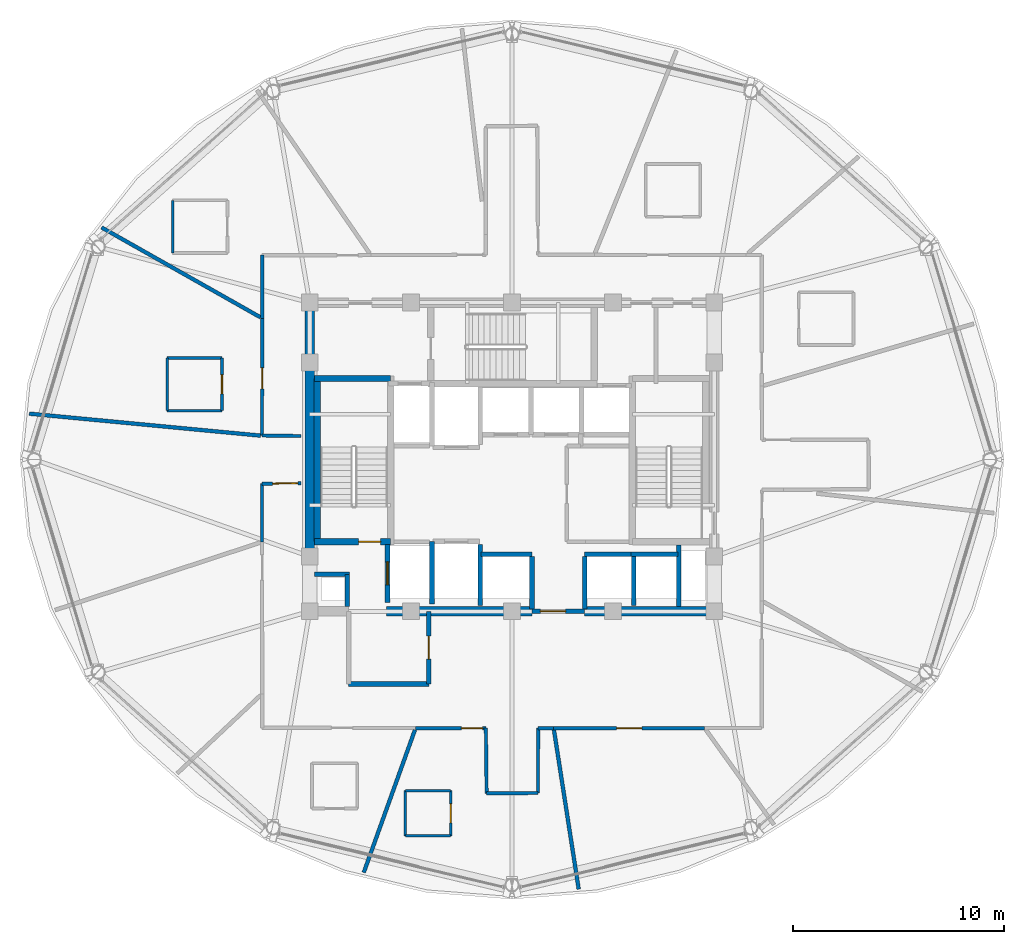
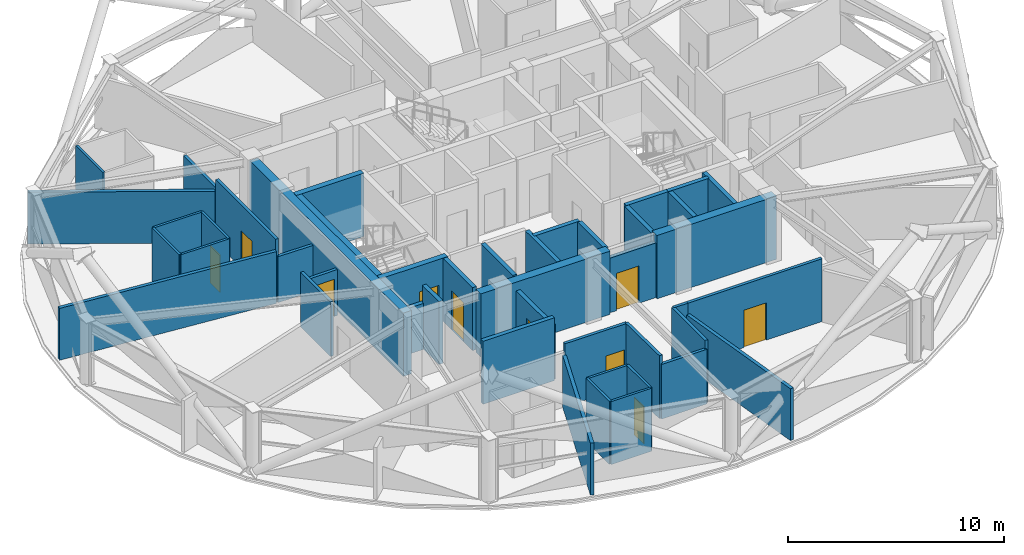
# One storey, part 23 of 30: 45 walls, 10 doors, 10 openings.
"""IFC4 building model written with IfcOpenShell, lengths in metres."""

from ifc_helpers import new_model, si_unit, direction, frame, frame_2d, origin, place, context, subcontext, project, spatial, rectangle, extrude, material, layer, layer_set, type_object, element, fill, save


model = new_model("IFC4")

# Units and contexts
model_context = context("Model", 3, precision=1e-05, world=origin(), true_north=direction((0.0, 1.0)))
body_context = subcontext(model_context, "Body", "Model", "MODEL_VIEW")
ifc_project = project(units=[si_unit("LENGTHUNIT", "METRE"), si_unit("AREAUNIT", "SQUARE_METRE"), si_unit("VOLUMEUNIT", "CUBIC_METRE"), si_unit("PLANEANGLEUNIT", "RADIAN"), si_unit("MASSUNIT", "GRAM", prefix="KILO")], contexts=[model_context])

# Site, building, storey
site_placement = place(None, origin())
site = spatial("IfcSite", under=ifc_project, at=site_placement, CompositionType="ELEMENT")
building_placement = place(site_placement, origin())
building = spatial("IfcBuilding", under=site, at=building_placement, Name="Vantalir Tower", CompositionType="ELEMENT")
storey_placement = place(building_placement, frame((0.0, 0.0, 189.89990234375)))
storey = spatial("IfcBuildingStorey", under=building, at=storey_placement, Name="L47", CompositionType="ELEMENT", Elevation=189.89990234375)

# Walls
ifc_material_1 = material(Name="Moisture-resistant en-suite partition", Category="gypsum")
ifc_layer_1 = layer(ifc_material_1, 0.125)
ifc_layer_set_1 = layer_set([ifc_layer_1], Name="Moisture-resistant en-suite partition")
wall_type_1 = type_object("IfcWallType", Name="WL-BATH-125", PredefinedType="PARTITIONING", material=ifc_layer_set_1)
wall_1_placement = place(storey_placement, frame((15.39501953125, 34.805908203125, 0.0), z_axis=(0.0, 0.0, 1.0), x_axis=(0.0, 1.0, 0.0)))
element("IfcWall", 1, at=wall_1_placement, inside=storey, type_object=wall_type_1, Name="L47 En-suite 05 West Wall", PredefinedType="PARTITIONING", context=body_context, shape_type="SweptSolid", body=[
    extrude(rectangle(XDim=2.5, YDim=0.125, at=frame_2d((1.25, 0.0))), origin(), (0.0, 0.0, 1.0), 3.550048828125),
])
for number, where, z_axis, x_axis, name in (
    (2, (15.135986328125, 27.318115234375, 0.0), (0.0, 0.0, 1.0), (1.0, 0.0, 0.0), "L47 En-suite 06 South Wall"),
    (3, (15.135986328125, 29.818115234375, 0.0), (0.0, 0.0, 1.0), (1.0, 0.0, 0.0), "L47 En-suite 06 North Wall"),
):
    element("IfcWall", number, at=place(storey_placement, frame(where, z_axis=z_axis, x_axis=x_axis)), inside=storey, type_object=wall_type_1, Name=name, PredefinedType="PARTITIONING", context=body_context, shape_type="SweptSolid", body=[
        extrude(rectangle(XDim=2.60009765625, YDim=0.125, at=frame_2d((1.300048828125, 0.0))), origin(), (0.0, 0.0, 1.0), 3.550048828125),
    ])
wall_2_placement = place(storey_placement, frame((15.135986328125, 27.318115234375, 0.0), z_axis=(0.0, 0.0, 1.0), x_axis=(0.0, 1.0, 0.0)))
element("IfcWall", 4, at=wall_2_placement, inside=storey, type_object=wall_type_1, Name="L47 En-suite 06 West Wall", PredefinedType="PARTITIONING", context=body_context, shape_type="SweptSolid", body=[
    extrude(rectangle(XDim=2.5, YDim=0.125, at=frame_2d((1.25, 0.0))), origin(), (0.0, 0.0, 1.0), 3.550048828125),
])

# Wall, opening, door
wall_3_placement = place(storey_placement, frame((17.736083984375, 27.318115234375, 0.0), z_axis=(0.0, 0.0, 1.0), x_axis=(0.0, 1.0, 0.0)))
wall_3 = element("IfcWall", 5, at=wall_3_placement, inside=storey, type_object=wall_type_1, Name="L47 En-suite 06 East Wall", PredefinedType="PARTITIONING", context=body_context, shape_type="SweptSolid", body=[
    extrude(rectangle(XDim=2.5, YDim=0.125, at=frame_2d((1.25, 0.0))), origin(), (0.0, 0.0, 1.0), 3.550048828125),
])
opening_1_placement = place(wall_3_placement, frame((0.800048828125, 0.0, 0.0)))
opening_1 = element("IfcOpeningElement", 6, at=opening_1_placement, cuts=wall_3, Name="Opening D-WC", PredefinedType="OPENING", context=body_context, shape_type="SweptSolid", body=[
    extrude(rectangle(XDim=0.89990234375, YDim=2.10009765625, at=frame_2d((0.449951171875, 1.050048828125))), frame((0.0, 0.072509765625, 0.0), z_axis=(0.0, -1.0, 0.0), x_axis=(1.0, 0.0, 0.0)), (0.0, 0.0, 1.0), 0.14501953125),
])
ifc_material_2 = material(Name="Moisture-resistant hardwood door", Category="wood")
door_type_1 = type_object("IfcDoorType", Name="DR-ENSUITE-900", OperationType="NOTDEFINED", PredefinedType="DOOR", material=ifc_material_2)
door_1_placement = place(opening_1_placement, origin())
door_1 = element("IfcDoor", 7, at=door_1_placement, inside=storey, type_object=door_type_1, Name="L47 En-suite 06 Door", OperationType="SINGLE_SWING_RIGHT", OverallHeight=2.10009765625, OverallWidth=0.89990234375, PredefinedType="DOOR", context=body_context, shape_type="SweptSolid", body=[
    extrude(rectangle(XDim=0.89990234375, YDim=2.10009765625, at=frame_2d((0.449951171875, 1.050048828125))), frame((0.0, 0.02490234375, 0.0), z_axis=(0.0, -1.0, 0.0), x_axis=(1.0, 0.0, 0.0)), (0.0, 0.0, 1.0), 0.050048828125),
])
fill(opening_1, door_1)

# Walls
for number, where, z_axis, x_axis, name in (
    (8, (26.44189453125, 7.137939453125, 0.0), (0.0, 0.0, 1.0), (1.0, 0.0, 0.0), "L47 En-suite 10 South Wall"),
    (9, (26.44189453125, 9.2880859375, 0.0), (0.0, 0.0, 1.0), (1.0, 0.0, 0.0), "L47 En-suite 10 North Wall"),
    (10, (26.44189453125, 7.137939453125, 0.0), (0.0, 0.0, 1.0), (0.0, 1.0, 0.0), "L47 En-suite 10 West Wall"),
):
    element("IfcWall", number, at=place(storey_placement, frame(where, z_axis=z_axis, x_axis=x_axis)), inside=storey, type_object=wall_type_1, Name=name, PredefinedType="PARTITIONING", context=body_context, shape_type="SweptSolid", body=[
        extrude(rectangle(XDim=2.150146484375, YDim=0.125, at=frame_2d((1.0751953125, 0.0))), origin(), (0.0, 0.0, 1.0), 3.550048828125),
    ])

# Wall, opening, door
wall_4_placement = place(storey_placement, frame((28.592041015625, 7.137939453125, 0.0), z_axis=(0.0, 0.0, 1.0), x_axis=(0.0, 1.0, 0.0)))
wall_4 = element("IfcWall", 11, at=wall_4_placement, inside=storey, type_object=wall_type_1, Name="L47 En-suite 10 East Wall", PredefinedType="PARTITIONING", context=body_context, shape_type="SweptSolid", body=[
    extrude(rectangle(XDim=2.150146484375, YDim=0.125, at=frame_2d((1.0751953125, 0.0))), origin(), (0.0, 0.0, 1.0), 3.550048828125),
])
opening_2_placement = place(wall_4_placement, frame((0.625, 0.0, 0.0)))
opening_2 = element("IfcOpeningElement", 12, at=opening_2_placement, cuts=wall_4, Name="Opening D-WC", PredefinedType="OPENING", context=body_context, shape_type="SweptSolid", body=[
    extrude(rectangle(XDim=0.89990234375, YDim=2.10009765625, at=frame_2d((0.449951171875, 1.050048828125))), frame((0.0, 0.072509765625, 0.0), z_axis=(0.0, -1.0, 0.0), x_axis=(1.0, 0.0, 0.0)), (0.0, 0.0, 1.0), 0.14501953125),
])
door_2_placement = place(opening_2_placement, origin())
door_2 = element("IfcDoor", 13, at=door_2_placement, inside=storey, type_object=door_type_1, Name="L47 En-suite 10 Door", OperationType="SINGLE_SWING_RIGHT", OverallHeight=2.10009765625, OverallWidth=0.89990234375, PredefinedType="DOOR", context=body_context, shape_type="SweptSolid", body=[
    extrude(rectangle(XDim=0.89990234375, YDim=2.10009765625, at=frame_2d((0.449951171875, 1.050048828125))), frame((0.0, 0.02490234375, 0.0), z_axis=(0.0, -1.0, 0.0), x_axis=(1.0, 0.0, 0.0)), (0.0, 0.0, 1.0), 0.050048828125),
])
fill(opening_2, door_2)

# Walls
ifc_material_3 = material(Name="Concrete C50/60", Category="concrete")
ifc_layer_2 = layer(ifc_material_3, 0.449951171875)
ifc_layer_set_2 = layer_set([ifc_layer_2], Name="Concrete C50/60")
wall_type_2 = type_object("IfcWallType", Name="WL-CORE-450", PredefinedType="SHEAR", material=ifc_layer_set_2)
wall_5_placement = place(storey_placement, frame((25.550048828125, 17.800048828125, 0.0), z_axis=(0.0, 0.0, 1.0), x_axis=(1.0, 0.0, 0.0)))
element("IfcWall", 14, at=wall_5_placement, inside=storey, type_object=wall_type_2, Name="L47 Core Shear Wall South-Mid", PredefinedType="SHEAR", context=body_context, shape_type="SweptSolid", body=[
    extrude(rectangle(XDim=6.89990234375, YDim=0.449951171875, at=frame_2d((3.449951171875, 0.0))), origin(), (0.0, 0.0, 1.0), 3.570068359375),
])
wall_6_placement = place(storey_placement, frame((34.949951171875, 17.800048828125, 0.0), z_axis=(0.0, 0.0, 1.0), x_axis=(1.0, 0.0, 0.0)))
element("IfcWall", 15, at=wall_6_placement, inside=storey, type_object=wall_type_2, Name="L47 Core Shear Wall South-East", PredefinedType="SHEAR", context=body_context, shape_type="SweptSolid", body=[
    extrude(rectangle(XDim=6.375, YDim=0.449951171875, at=frame_2d((3.1875, 0.0))), origin(), (0.0, 0.0, 1.0), 3.570068359375),
])
wall_7_placement = place(storey_placement, frame((21.89990234375, 18.02490234375, 0.0), z_axis=(0.0, 0.0, 1.0), x_axis=(0.0, 1.0, 0.0)))
element("IfcWall", 16, at=wall_7_placement, inside=storey, type_object=wall_type_2, Name="L47 Core Shear Wall West", PredefinedType="SHEAR", context=body_context, shape_type="SweptSolid", body=[
    extrude(rectangle(XDim=14.2001953125, YDim=0.449951171875, at=frame_2d((7.10009765625, 0.0))), origin(), (0.0, 0.0, 1.0), 3.570068359375),
])
ifc_material_4 = material(Name="Fire-rated hotel corridor acoustic partition", Category="gypsum")
ifc_layer_3 = layer(ifc_material_4, 0.159912109375)
ifc_layer_set_3 = layer_set([ifc_layer_3], Name="Fire-rated hotel corridor acoustic partition")
wall_type_3 = type_object("IfcWallType", Name="WL-CORR-160", PredefinedType="PARTITIONING", material=ifc_layer_set_3)
wall_8_placement = place(storey_placement, frame((21.4951171875, 26.116943359375, 0.0), z_axis=(0.0, 0.0, 1.0), x_axis=(-0.999908537082, 0.013524698532, 0.0)))
element("IfcWall", 17, at=wall_8_placement, inside=storey, type_object=wall_type_3, Name="L47 Corridor Partition 01", PredefinedType="PARTITIONING", context=body_context, shape_type="SweptSolid", body=[
    extrude(rectangle(XDim=1.859375, YDim=0.159912109375, at=frame_2d((0.9296875, 0.0))), origin(), (0.0, 0.0, 1.0), 2.59521484375),
])

# Wall, opening, door
wall_9_placement = place(storey_placement, frame((19.635986328125, 26.14208984375, 0.0), z_axis=(0.0, 0.0, 1.0), x_axis=(0.000921294687, 0.999999575608, 0.0)))
wall_9 = element("IfcWall", 18, at=wall_9_placement, inside=storey, type_object=wall_type_3, Name="L47 Corridor Partition 02", PredefinedType="PARTITIONING", context=body_context, shape_type="SweptSolid", body=[
    extrude(rectangle(XDim=5.56494140625, YDim=0.159912109375, at=frame_2d((2.782470703125, 0.0))), origin(), (0.0, 0.0, 1.0), 3.550048828125),
])
opening_3_placement = place(wall_9_placement, frame((2.208984375, 0.0, 0.0)))
opening_3 = element("IfcOpeningElement", 19, at=opening_3_placement, cuts=wall_9, Name="Opening D-GUEST", PredefinedType="OPENING", context=body_context, shape_type="SweptSolid", body=[
    extrude(rectangle(XDim=1.0, YDim=2.10009765625, at=frame_2d((0.5, 1.050048828125))), frame((0.0, 0.08984375, 0.0), z_axis=(0.0, -1.0, 0.0), x_axis=(1.0, 0.0, 0.0)), (0.0, 0.0, 1.0), 0.179931640625),
])
ifc_material_5 = material(Name="Solid-core teak veneer acoustic fire door", Category="wood")
door_type_2 = type_object("IfcDoorType", Name="DR-GUEST-ENTRY-1000", OperationType="NOTDEFINED", PredefinedType="DOOR", material=ifc_material_5)
door_3_placement = place(opening_3_placement, origin())
door_3 = element("IfcDoor", 20, at=door_3_placement, inside=storey, type_object=door_type_2, Name="L47 Deluxe King Hotel Room 06 Door", OperationType="SINGLE_SWING_RIGHT", OverallHeight=2.10009765625, OverallWidth=1.0, PredefinedType="DOOR", context=body_context, shape_type="SweptSolid", body=[
    extrude(rectangle(XDim=1.0, YDim=2.10009765625, at=frame_2d((0.5, 1.050048828125))), frame((0.0, 0.02490234375, 0.0), z_axis=(0.0, -1.0, 0.0), x_axis=(1.0, 0.0, 0.0)), (0.0, 0.0, 1.0), 0.050048828125),
])
fill(opening_3, door_3)

# Wall
wall_10_placement = place(storey_placement, frame((19.64111328125, 31.70703125, 0.0), z_axis=(0.0, 0.0, 1.0), x_axis=(0.000978872196, 0.999999520904, 0.0)))
element("IfcWall", 21, at=wall_10_placement, inside=storey, type_object=wall_type_3, Name="L47 Corridor Partition 03", PredefinedType="PARTITIONING", context=body_context, shape_type="SweptSolid", body=[
    extrude(rectangle(XDim=2.992919921875, YDim=0.159912109375, at=frame_2d((1.49658203125, 0.0))), origin(), (0.0, 0.0, 1.0), 3.0810546875),
])

# Wall, opening, door
wall_11_placement = place(storey_placement, frame((40.64306640625, 12.257080078125, 0.0), z_axis=(0.0, 0.0, 1.0), x_axis=(-0.999999636981, -0.000852078764, 0.0)))
wall_11 = element("IfcWall", 22, at=wall_11_placement, inside=storey, type_object=wall_type_3, Name="L47 Corridor Partition 22", PredefinedType="PARTITIONING", context=body_context, shape_type="SweptSolid", body=[
    extrude(rectangle(XDim=7.1630859375, YDim=0.159912109375, at=frame_2d((3.58154296875, 0.0))), origin(), (0.0, 0.0, 1.0), 3.550048828125),
])
opening_4_placement = place(wall_11_placement, frame((2.98193359375, 0.0, 0.0)))
opening_4 = element("IfcOpeningElement", 23, at=opening_4_placement, cuts=wall_11, Name="Opening D-STE", PredefinedType="OPENING", context=body_context, shape_type="SweptSolid", body=[
    extrude(rectangle(XDim=1.199951171875, YDim=2.10009765625, at=frame_2d((0.60009765625, 1.050048828125))), frame((0.0, 0.08984375, 0.0), z_axis=(0.0, -1.0, 0.0), x_axis=(1.0, 0.0, 0.0)), (0.0, 0.0, 1.0), 0.179931640625),
])
ifc_material_6 = material(Name="Solid-core teak veneer suite entrance door", Category="wood")
door_type_3 = type_object("IfcDoorType", Name="DR-SUITE-ENTRY-1200", OperationType="NOTDEFINED", PredefinedType="DOOR", material=ifc_material_6)
door_4_placement = place(opening_4_placement, origin())
door_4 = element("IfcDoor", 24, at=door_4_placement, inside=storey, type_object=door_type_3, Name="L47 Club Reading Lounge 11 Door", OperationType="SINGLE_SWING_LEFT", OverallHeight=2.10009765625, OverallWidth=1.199951171875, PredefinedType="DOOR", context=body_context, shape_type="SweptSolid", body=[
    extrude(rectangle(XDim=1.199951171875, YDim=2.10009765625, at=frame_2d((0.60009765625, 1.050048828125))), frame((0.0, 0.02490234375, 0.0), z_axis=(0.0, -1.0, 0.0), x_axis=(1.0, 0.0, 0.0)), (0.0, 0.0, 1.0), 0.050048828125),
])
fill(opening_4, door_4)

# Walls
wall_12_placement = place(storey_placement, frame((33.47998046875, 12.2509765625, 0.0), z_axis=(0.0, 0.0, 1.0), x_axis=(-0.999999129202, -0.001319695321, 0.0)))
element("IfcWall", 25, at=wall_12_placement, inside=storey, type_object=wall_type_3, Name="L47 Corridor Partition 23", PredefinedType="PARTITIONING", context=body_context, shape_type="SweptSolid", body=[
    extrude(rectangle(XDim=0.739990234375, YDim=0.159912109375, at=frame_2d((0.3701171875, 0.0))), origin(), (0.0, 0.0, 1.0), 3.550048828125),
])
wall_13_placement = place(storey_placement, frame((32.739990234375, 12.25, 0.0), z_axis=(0.0, 0.0, 1.0), x_axis=(-0.002937661004, -0.999995685065, 0.0)))
element("IfcWall", 26, at=wall_13_placement, inside=storey, type_object=wall_type_3, Name="L47 Corridor Partition 24", PredefinedType="PARTITIONING", context=body_context, shape_type="SweptSolid", body=[
    extrude(rectangle(XDim=3.074951171875, YDim=0.159912109375, at=frame_2d((1.53759765625, 0.0))), origin(), (0.0, 0.0, 1.0), 3.550048828125),
])
wall_14_placement = place(storey_placement, frame((32.73095703125, 9.175048828125, 0.0), z_axis=(0.0, 0.0, 1.0), x_axis=(-0.999980680225, -0.006216041926, 0.0)))
element("IfcWall", 27, at=wall_14_placement, inside=storey, type_object=wall_type_3, Name="L47 Corridor Partition 25", PredefinedType="PARTITIONING", context=body_context, shape_type="SweptSolid", body=[
    extrude(rectangle(XDim=2.43505859375, YDim=0.159912109375, at=frame_2d((1.217529296875, 0.0))), origin(), (0.0, 0.0, 1.0), 3.0810546875),
])
wall_15_placement = place(storey_placement, frame((30.2958984375, 9.159912109375, 0.0), z_axis=(0.0, 0.0, 1.0), x_axis=(-0.011613343347, 0.999932562854, 0.0)))
element("IfcWall", 28, at=wall_15_placement, inside=storey, type_object=wall_type_3, Name="L47 Corridor Partition 26", PredefinedType="PARTITIONING", context=body_context, shape_type="SweptSolid", body=[
    extrude(rectangle(XDim=3.09033203125, YDim=0.159912109375, at=frame_2d((1.545166015625, 0.0))), origin(), (0.0, 0.0, 1.0), 3.550048828125),
])

# Wall, opening, door
wall_16_placement = place(storey_placement, frame((30.260009765625, 12.25, 0.0), z_axis=(0.0, 0.0, 1.0), x_axis=(-0.999997745151, 0.002123603882, 0.0)))
wall_16 = element("IfcWall", 29, at=wall_16_placement, inside=storey, type_object=wall_type_3, Name="L47 Corridor Partition 27", PredefinedType="PARTITIONING", context=body_context, shape_type="SweptSolid", body=[
    extrude(rectangle(XDim=3.333984375, YDim=0.159912109375, at=frame_2d((1.6669921875, 0.0))), origin(), (0.0, 0.0, 1.0), 3.550048828125),
])
opening_5_placement = place(wall_16_placement, frame((0.159912109375, 0.0, 0.0)))
opening_5 = element("IfcOpeningElement", 30, at=opening_5_placement, cuts=wall_16, Name="Opening D-GUEST", PredefinedType="OPENING", context=body_context, shape_type="SweptSolid", body=[
    extrude(rectangle(XDim=1.0, YDim=2.10009765625, at=frame_2d((0.5, 1.050048828125))), frame((0.0, 0.08984375, 0.0), z_axis=(0.0, -1.0, 0.0), x_axis=(1.0, 0.0, 0.0)), (0.0, 0.0, 1.0), 0.179931640625),
])
door_5_placement = place(opening_5_placement, origin())
door_5 = element("IfcDoor", 31, at=door_5_placement, inside=storey, type_object=door_type_2, Name="L47 Deluxe King Hotel Room 10 Door", OperationType="SINGLE_SWING_RIGHT", OverallHeight=2.10009765625, OverallWidth=1.0, PredefinedType="DOOR", context=body_context, shape_type="SweptSolid", body=[
    extrude(rectangle(XDim=1.0, YDim=2.10009765625, at=frame_2d((0.5, 1.050048828125))), frame((0.0, 0.02490234375, 0.0), z_axis=(0.0, -1.0, 0.0), x_axis=(1.0, 0.0, 0.0)), (0.0, 0.0, 1.0), 0.050048828125),
])
fill(opening_5, door_5)

# Wall
wall_17_placement = place(storey_placement, frame((19.635986328125, 21.091064453125, 0.0), z_axis=(0.0, 0.0, 1.0), x_axis=(-0.000353450539, 0.999999937536, 0.0)))
element("IfcWall", 32, at=wall_17_placement, inside=storey, type_object=wall_type_3, Name="L47 Corridor Partition 31", PredefinedType="PARTITIONING", context=body_context, shape_type="SweptSolid", body=[
    extrude(rectangle(XDim=2.762939453125, YDim=0.159912109375, at=frame_2d((1.38134765625, 0.0))), origin(), (0.0, 0.0, 1.0), 3.0810546875),
])

# Wall, opening, door
wall_18_placement = place(storey_placement, frame((19.635009765625, 23.85400390625, 0.0), z_axis=(0.0, 0.0, 1.0), x_axis=(0.999886107392, 0.015092125259, 0.0)))
wall_18 = element("IfcWall", 33, at=wall_18_placement, inside=storey, type_object=wall_type_3, Name="L47 Corridor Partition 32", PredefinedType="PARTITIONING", context=body_context, shape_type="SweptSolid", body=[
    extrude(rectangle(XDim=1.8603515625, YDim=0.159912109375, at=frame_2d((0.93017578125, 0.0))), origin(), (0.0, 0.0, 1.0), 2.59521484375),
])
opening_6_placement = place(wall_18_placement, frame((0.5, 0.0, 0.0)))
opening_6 = element("IfcOpeningElement", 34, at=opening_6_placement, cuts=wall_18, Name="Opening D-STE", PredefinedType="OPENING", context=body_context, shape_type="SweptSolid", body=[
    extrude(rectangle(XDim=1.199951171875, YDim=2.10009765625, at=frame_2d((0.60009765625, 1.050048828125))), frame((0.0, 0.08984375, 0.0), z_axis=(0.0, -1.0, 0.0), x_axis=(1.0, 0.0, 0.0)), (0.0, 0.0, 1.0), 0.179931640625),
])
door_6_placement = place(opening_6_placement, origin())
door_6 = element("IfcDoor", 35, at=door_6_placement, inside=storey, type_object=door_type_3, Name="L47 Club Reading Lounge 07 Door", OperationType="SINGLE_SWING_LEFT", OverallHeight=2.10009765625, OverallWidth=1.199951171875, PredefinedType="DOOR", context=body_context, shape_type="SweptSolid", body=[
    extrude(rectangle(XDim=1.199951171875, YDim=2.10009765625, at=frame_2d((0.60009765625, 1.050048828125))), frame((0.0, 0.02490234375, 0.0), z_axis=(0.0, -1.0, 0.0), x_axis=(1.0, 0.0, 0.0)), (0.0, 0.0, 1.0), 0.050048828125),
])
fill(opening_6, door_6)

# Walls
ifc_material_7 = material(Name="Concrete blockwork with fireboard lining", Category="masonry")
ifc_layer_4 = layer(ifc_material_7, 0.219970703125)
ifc_layer_set_4 = layer_set([ifc_layer_4], Name="Concrete blockwork with fireboard lining")
wall_type_4 = type_object("IfcWallType", Name="WL-FFL-220", PredefinedType="PARTITIONING", material=ifc_layer_set_4)
wall_19_placement = place(storey_placement, frame((30.0, 18.080078125, 0.0), z_axis=(0.0, 0.0, 1.0), x_axis=(0.0, 1.0, 0.0)))
element("IfcWall", 36, at=wall_19_placement, inside=storey, type_object=wall_type_4, Name="L47 Service Lift SV1 East Shaft Wall", PredefinedType="PARTITIONING", context=body_context, shape_type="SweptSolid", body=[
    extrude(rectangle(XDim=2.89990234375, YDim=0.219970703125, at=frame_2d((1.449951171875, 0.0))), origin(), (0.0, 0.0, 1.0), 3.545166015625),
])
for number, where, z_axis, x_axis, name in (
    (37, (32.449951171875, 17.919921875, 0.0), (0.0, 0.0, 1.0), (0.0, 1.0, 0.0), "L47 Shuttle Lift PL-X1 East Shaft Cheek"),
    (38, (34.949951171875, 17.919921875, 0.0), (0.0, 0.0, 1.0), (0.0, 1.0, 0.0), "L47 Shuttle Lift PL-X3 West Shaft Cheek"),
):
    element("IfcWall", number, at=place(storey_placement, frame(where, z_axis=z_axis, x_axis=x_axis)), inside=storey, type_object=wall_type_4, Name=name, PredefinedType="PARTITIONING", context=body_context, shape_type="SweptSolid", body=[
        extrude(rectangle(XDim=2.469970703125, YDim=0.219970703125, at=frame_2d((1.23486328125, 0.0))), origin(), (0.0, 0.0, 1.0), 3.545166015625),
    ])
wall_20_placement = place(storey_placement, frame((37.27490234375, 18.080078125, 0.0), z_axis=(0.0, 0.0, 1.0), x_axis=(0.0, 1.0, 0.0)))
element("IfcWall", 39, at=wall_20_placement, inside=storey, type_object=wall_type_4, Name="L47 Shuttle Lift PL-X2/X3 Shaft Divider", PredefinedType="PARTITIONING", context=body_context, shape_type="SweptSolid", body=[
    extrude(rectangle(XDim=2.309814453125, YDim=0.219970703125, at=frame_2d((1.15478515625, 0.0))), origin(), (0.0, 0.0, 1.0), 3.545166015625),
])

# Wall, opening, door
wall_21_placement = place(storey_placement, frame((32.449951171875, 17.800048828125, 0.0), z_axis=(0.0, 0.0, 1.0), x_axis=(1.0, 0.0, 0.0)))
wall_21 = element("IfcWall", 40, at=wall_21_placement, inside=storey, type_object=wall_type_4, Name="L47 Passenger Lift Lobby South Wall", PredefinedType="PARTITIONING", context=body_context, shape_type="SweptSolid", body=[
    extrude(rectangle(XDim=2.5, YDim=0.219970703125, at=frame_2d((1.25, 0.0))), origin(), (0.0, 0.0, 1.0), 3.0810546875),
])
opening_7_placement = place(wall_21_placement, frame((0.39990234375, 0.0, 0.0)))
opening_7 = element("IfcOpeningElement", 41, at=opening_7_placement, cuts=wall_21, Name="Opening D-STE", PredefinedType="OPENING", context=body_context, shape_type="SweptSolid", body=[
    extrude(rectangle(XDim=1.199951171875, YDim=2.10009765625, at=frame_2d((0.60009765625, 1.050048828125))), frame((0.0, 0.119873046875, 0.0), z_axis=(0.0, -1.0, 0.0), x_axis=(1.0, 0.0, 0.0)), (0.0, 0.0, 1.0), 0.239990234375),
])
door_7_placement = place(opening_7_placement, origin())
door_7 = element("IfcDoor", 42, at=door_7_placement, inside=storey, type_object=door_type_3, Name="L47 Passenger Lift Lobby Concourse Door", OperationType="SINGLE_SWING_RIGHT", OverallHeight=2.10009765625, OverallWidth=1.199951171875, PredefinedType="DOOR", context=body_context, shape_type="SweptSolid", body=[
    extrude(rectangle(XDim=1.199951171875, YDim=2.10009765625, at=frame_2d((0.60009765625, 1.050048828125))), frame((0.0, 0.02490234375, 0.0), z_axis=(0.0, -1.0, 0.0), x_axis=(1.0, 0.0, 0.0)), (0.0, 0.0, 1.0), 0.050048828125),
])
fill(opening_7, door_7)

# Walls
wall_22_placement = place(storey_placement, frame((23.679931640625, 18.02490234375, 0.0), z_axis=(0.0, 0.0, 1.0), x_axis=(0.0, 1.0, 0.0)))
element("IfcWall", 43, at=wall_22_placement, inside=storey, type_object=wall_type_4, Name="L47 West MEP Riser Wall E", PredefinedType="PARTITIONING", context=body_context, shape_type="SweptSolid", body=[
    extrude(rectangle(XDim=1.525146484375, YDim=0.219970703125, at=frame_2d((0.7626953125, 0.0))), origin(), (0.0, 0.0, 1.0), 3.550048828125),
])
wall_23_placement = place(storey_placement, frame((22.125, 19.550048828125, 0.0), z_axis=(0.0, 0.0, 1.0), x_axis=(1.0, 0.0, 0.0)))
element("IfcWall", 44, at=wall_23_placement, inside=storey, type_object=wall_type_4, Name="L47 West MEP Riser Wall N", PredefinedType="PARTITIONING", context=body_context, shape_type="SweptSolid", body=[
    extrude(rectangle(XDim=1.6650390625, YDim=0.219970703125, at=frame_2d((0.83251953125, 0.0))), origin(), (0.0, 0.0, 1.0), 2.59521484375),
])
wall_24_placement = place(storey_placement, frame((39.419921875, 18.02490234375, 0.0), z_axis=(0.0, 0.0, 1.0), x_axis=(0.0, 1.0, 0.0)))
element("IfcWall", 45, at=wall_24_placement, inside=storey, type_object=wall_type_4, Name="L47 East MEP Riser Wall W", PredefinedType="PARTITIONING", context=body_context, shape_type="SweptSolid", body=[
    extrude(rectangle(XDim=2.925048828125, YDim=0.219970703125, at=frame_2d((1.46240234375, 0.0))), origin(), (0.0, 0.0, 1.0), 3.550048828125),
])

# Wall, opening, door
wall_25_placement = place(storey_placement, frame((25.590087890625, 18.219970703125, 0.0), z_axis=(0.0, 0.0, 1.0), x_axis=(0.0, 1.0, 0.0)))
wall_25 = element("IfcWall", 46, at=wall_25_placement, inside=storey, type_object=wall_type_4, Name="L47 Lift FL1 Shaft Front Wall", PredefinedType="PARTITIONING", context=body_context, shape_type="SweptSolid", body=[
    extrude(rectangle(XDim=2.760009765625, YDim=0.219970703125, at=frame_2d((1.3798828125, 0.0))), origin(), (0.0, 0.0, 1.0), 3.550048828125),
])
opening_8_placement = place(wall_25_placement, frame((0.830078125, 0.0, 0.0)))
opening_8 = element("IfcOpeningElement", 47, at=opening_8_placement, cuts=wall_25, Name="Opening LD-FL1", PredefinedType="OPENING", context=body_context, shape_type="SweptSolid", body=[
    extrude(rectangle(XDim=1.10009765625, YDim=2.199951171875, at=frame_2d((0.550048828125, 1.10009765625))), frame((0.0, 0.119873046875, 0.0), z_axis=(0.0, -1.0, 0.0), x_axis=(1.0, 0.0, 0.0)), (0.0, 0.0, 1.0), 0.239990234375),
])
ifc_material_8 = material(Name="Brushed stainless-steel sliding lift landing door", Category="steel")
door_type_4 = type_object("IfcDoorType", Name="DR-LIFT-LANDING-1100", OperationType="DOUBLE_DOOR_SLIDING", PredefinedType="DOOR", material=ifc_material_8)
door_8_placement = place(opening_8_placement, origin())
door_8 = element("IfcDoor", 48, at=door_8_placement, inside=storey, type_object=door_type_4, Name="L47 Lift Landing Door FL1", OperationType="DOUBLE_DOOR_SLIDING", OverallHeight=2.199951171875, OverallWidth=1.10009765625, PredefinedType="DOOR", context=body_context, shape_type="SweptSolid", body=[
    extrude(rectangle(XDim=1.10009765625, YDim=2.199951171875, at=frame_2d((0.550048828125, 1.10009765625))), frame((0.0, 0.02490234375, 0.0), z_axis=(0.0, -1.0, 0.0), x_axis=(1.0, 0.0, 0.0)), (0.0, 0.0, 1.0), 0.050048828125),
])
fill(opening_8, door_8)

# Walls
wall_26_placement = place(storey_placement, frame((30.0400390625, 20.510009765625, 0.0), z_axis=(0.0, 0.0, 1.0), x_axis=(1.0, 0.0, 0.0)))
element("IfcWall", 49, at=wall_26_placement, inside=storey, type_object=wall_type_4, Name="L47 Lift PL-X1 Shaft Front Wall", PredefinedType="PARTITIONING", context=body_context, shape_type="SweptSolid", body=[
    extrude(rectangle(XDim=2.419921875, YDim=0.219970703125, at=frame_2d((1.2099609375, 0.0))), origin(), (0.0, 0.0, 1.0), 3.550048828125),
])
for number, where, z_axis, x_axis, name in (
    (50, (37.139892578125, 20.510009765625, 0.0), (0.0, 0.0, 1.0), (1.0, 0.0, 0.0), "L47 Lift PL-X2 Shaft Rear Wall"),
    (51, (34.93994140625, 20.510009765625, 0.0), (0.0, 0.0, 1.0), (1.0, 0.0, 0.0), "L47 Lift PL-X3 Shaft Front Wall"),
):
    element("IfcWall", number, at=place(storey_placement, frame(where, z_axis=z_axis, x_axis=x_axis)), inside=storey, type_object=wall_type_4, Name=name, PredefinedType="PARTITIONING", context=body_context, shape_type="SweptSolid", body=[
        extrude(rectangle(XDim=2.239990234375, YDim=0.219970703125, at=frame_2d((1.1201171875, 0.0))), origin(), (0.0, 0.0, 1.0), 3.550048828125),
    ])
wall_27_placement = place(storey_placement, frame((27.699951171875, 18.14990234375, 0.0), z_axis=(0.0, 0.0, 1.0), x_axis=(0.0, 1.0, 0.0)))
element("IfcWall", 52, at=wall_27_placement, inside=storey, type_object=wall_type_4, Name="L47 Fire Lift FL1 Dividing Wall", PredefinedType="PARTITIONING", context=body_context, shape_type="SweptSolid", body=[
    extrude(rectangle(XDim=2.9501953125, YDim=0.219970703125, at=frame_2d((1.47509765625, 0.0))), origin(), (0.0, 0.0, 1.0), 3.550048828125),
])
wall_28_placement = place(storey_placement, frame((23.75, 14.35009765625, 0.0), z_axis=(0.0, 0.0, 1.0), x_axis=(1.0, 0.0, 0.0)))
element("IfcWall", 53, at=wall_28_placement, inside=storey, type_object=wall_type_4, Name="L47 Firefighting Lobby West South Wall", PredefinedType="PARTITIONING", context=body_context, shape_type="SweptSolid", body=[
    extrude(rectangle(XDim=3.800048828125, YDim=0.219970703125, at=frame_2d((1.89990234375, 0.0))), origin(), (0.0, 0.0, 1.0), 3.550048828125),
])

# Wall, opening, door
wall_29_placement = place(storey_placement, frame((27.550048828125, 14.35009765625, 0.0), z_axis=(0.0, 0.0, 1.0), x_axis=(0.0, 1.0, 0.0)))
wall_29 = element("IfcWall", 54, at=wall_29_placement, inside=storey, type_object=wall_type_4, Name="L47 Firefighting Lobby West East Wall", PredefinedType="PARTITIONING", context=body_context, shape_type="SweptSolid", body=[
    extrude(rectangle(XDim=3.449951171875, YDim=0.219970703125, at=frame_2d((1.72509765625, 0.0))), origin(), (0.0, 0.0, 1.0), 3.0810546875),
])
opening_9_placement = place(wall_29_placement, frame((1.175048828125, 0.0, 0.0)))
opening_9 = element("IfcOpeningElement", 55, at=opening_9_placement, cuts=wall_29, Name="Opening D-FFL", PredefinedType="OPENING", context=body_context, shape_type="SweptSolid", body=[
    extrude(rectangle(XDim=1.10009765625, YDim=2.10009765625, at=frame_2d((0.550048828125, 1.050048828125))), frame((0.0, 0.119873046875, 0.0), z_axis=(0.0, -1.0, 0.0), x_axis=(1.0, 0.0, 0.0)), (0.0, 0.0, 1.0), 0.239990234375),
])
ifc_material_9 = material(Name="Fire-rated acoustic steel door", Category="steel")
door_type_5 = type_object("IfcDoorType", Name="DR-FIRE-LOBBY-1100", OperationType="NOTDEFINED", PredefinedType="DOOR", material=ifc_material_9)
door_9_placement = place(opening_9_placement, origin())
door_9 = element("IfcDoor", 56, at=door_9_placement, inside=storey, type_object=door_type_5, Name="L47 Firefighting Lobby West Access Door", OperationType="SINGLE_SWING_RIGHT", OverallHeight=2.10009765625, OverallWidth=1.10009765625, PredefinedType="DOOR", context=body_context, shape_type="SweptSolid", body=[
    extrude(rectangle(XDim=1.10009765625, YDim=2.10009765625, at=frame_2d((0.550048828125, 1.050048828125))), frame((0.0, 0.02490234375, 0.0), z_axis=(0.0, -1.0, 0.0), x_axis=(1.0, 0.0, 0.0)), (0.0, 0.0, 1.0), 0.050048828125),
])
fill(opening_9, door_9)

# Walls
ifc_material_10 = material(Name="Twin-stud acoustic fire-rated gypsum partition", Category="gypsum")
ifc_layer_5 = layer(ifc_material_10, 0.179931640625)
ifc_layer_set_5 = layer_set([ifc_layer_5], Name="Twin-stud acoustic fire-rated gypsum partition")
wall_type_5 = type_object("IfcWallType", Name="WL-GUEST-180", PredefinedType="PARTITIONING", material=ifc_layer_set_5)
wall_30_placement = place(storey_placement, frame((19.56005859375, 31.7529296875, 0.0), z_axis=(0.0, 0.0, 1.0), x_axis=(-0.870416857611, 0.492315441549, 0.0)))
element("IfcWall", 57, at=wall_30_placement, inside=storey, type_object=wall_type_5, Name="L47 Radial Suite Partition 06", PredefinedType="PARTITIONING", context=body_context, shape_type="SweptSolid", body=[
    extrude(rectangle(XDim=8.661376953125, YDim=0.179931640625, at=frame_2d((4.33056640625, 0.0))), origin(), (0.0, 0.0, 1.0), 2.925048828125),
])
wall_31_placement = place(storey_placement, frame((19.56103515625, 26.135986328125, 0.0), z_axis=(0.0, 0.0, 1.0), x_axis=(-0.995513373187, 0.094620948032, 0.0)))
element("IfcWall", 58, at=wall_31_placement, inside=storey, type_object=wall_type_5, Name="L47 Radial Suite Partition 07", PredefinedType="PARTITIONING", context=body_context, shape_type="SweptSolid", body=[
    extrude(rectangle(XDim=11.022705078125, YDim=0.179931640625, at=frame_2d((5.51123046875, 0.0))), origin(), (0.0, 0.0, 1.0), 2.925048828125),
])
wall_32_placement = place(storey_placement, frame((26.89599609375, 12.175048828125, 0.0), z_axis=(0.0, 0.0, 1.0), x_axis=(-0.337794657912, -0.941219830372, 0.0)))
element("IfcWall", 59, at=wall_32_placement, inside=storey, type_object=wall_type_5, Name="L47 Radial Suite Partition 10", PredefinedType="PARTITIONING", context=body_context, shape_type="SweptSolid", body=[
    extrude(rectangle(XDim=7.19921875, YDim=0.179931640625, at=frame_2d((3.599609375, 0.0))), origin(), (0.0, 0.0, 1.0), 2.925048828125),
])
wall_33_placement = place(storey_placement, frame((33.490966796875, 12.175048828125, 0.0), z_axis=(0.0, 0.0, 1.0), x_axis=(0.153487661085, -0.988150564385, 0.0)))
element("IfcWall", 60, at=wall_33_placement, inside=storey, type_object=wall_type_5, Name="L47 Radial Suite Partition 11", PredefinedType="PARTITIONING", context=body_context, shape_type="SweptSolid", body=[
    extrude(rectangle(XDim=7.65576171875, YDim=0.179931640625, at=frame_2d((3.827880859375, 0.0))), origin(), (0.0, 0.0, 1.0), 2.925048828125),
])

# Wall, opening, door
ifc_layer_6 = layer(ifc_material_3, 0.300048828125)
ifc_layer_set_6 = layer_set([ifc_layer_6], Name="Concrete C50/60")
wall_type_6 = type_object("IfcWallType", Name="WL-STAIR-300", PredefinedType="SHEAR", material=ifc_layer_set_6)
wall_34_placement = place(storey_placement, frame((22.125, 21.10009765625, 0.0), z_axis=(0.0, 0.0, 1.0), x_axis=(1.0, 0.0, 0.0)))
wall_34 = element("IfcWall", 61, at=wall_34_placement, inside=storey, type_object=wall_type_6, Name="L47 Stair ST1 South Wall", PredefinedType="SHEAR", context=body_context, shape_type="SweptSolid", body=[
    extrude(rectangle(XDim=3.614990234375, YDim=0.300048828125, at=frame_2d((1.8076171875, 0.0))), origin(), (0.0, 0.0, 1.0), 3.570068359375),
])
opening_10_placement = place(wall_34_placement, frame((2.094970703125, 0.0, 0.0)))
opening_10 = element("IfcOpeningElement", 62, at=opening_10_placement, cuts=wall_34, Name="Opening D-ST", PredefinedType="OPENING", context=body_context, shape_type="SweptSolid", body=[
    extrude(rectangle(XDim=1.050048828125, YDim=2.10009765625, at=frame_2d((0.52490234375, 1.050048828125))), frame((0.0, 0.159912109375, 0.0), z_axis=(0.0, -1.0, 0.0), x_axis=(1.0, 0.0, 0.0)), (0.0, 0.0, 1.0), 0.320068359375),
])
ifc_material_11 = material(Name="Fire-rated steel door leaf", Category="steel")
door_type_6 = type_object("IfcDoorType", Name="DR-FIRE-STAIR-1050", OperationType="NOTDEFINED", PredefinedType="DOOR", material=ifc_material_11)
door_10_placement = place(opening_10_placement, origin())
door_10 = element("IfcDoor", 63, at=door_10_placement, inside=storey, type_object=door_type_6, Name="L47 Exit Stair ST1 Fire Door", OperationType="SINGLE_SWING_RIGHT", OverallHeight=2.10009765625, OverallWidth=1.050048828125, PredefinedType="DOOR", context=body_context, shape_type="SweptSolid", body=[
    extrude(rectangle(XDim=1.050048828125, YDim=2.10009765625, at=frame_2d((0.52490234375, 1.050048828125))), frame((0.0, 0.02490234375, 0.0), z_axis=(0.0, -1.0, 0.0), x_axis=(1.0, 0.0, 0.0)), (0.0, 0.0, 1.0), 0.050048828125),
])
fill(opening_10, door_10)

# Walls
wall_35_placement = place(storey_placement, frame((22.125, 28.85009765625, 0.0), z_axis=(0.0, 0.0, 1.0), x_axis=(1.0, 0.0, 0.0)))
element("IfcWall", 64, at=wall_35_placement, inside=storey, type_object=wall_type_6, Name="L47 Stair ST1 North Wall", PredefinedType="SHEAR", context=body_context, shape_type="SweptSolid", body=[
    extrude(rectangle(XDim=3.614990234375, YDim=0.300048828125, at=frame_2d((1.8076171875, 0.0))), origin(), (0.0, 0.0, 1.0), 3.570068359375),
])
wall_36_placement = place(storey_placement, frame((22.260009765625, 21.10009765625, 0.0), z_axis=(0.0, 0.0, 1.0), x_axis=(0.0, 1.0, 0.0)))
element("IfcWall", 65, at=wall_36_placement, inside=storey, type_object=wall_type_6, Name="L47 Stair ST1 West Liner Wall", PredefinedType="SHEAR", context=body_context, shape_type="SweptSolid", body=[
    extrude(rectangle(XDim=7.75, YDim=0.300048828125, at=frame_2d((3.875, 0.0))), origin(), (0.0, 0.0, 1.0), 3.570068359375),
])

save(model, "model.ifc")
